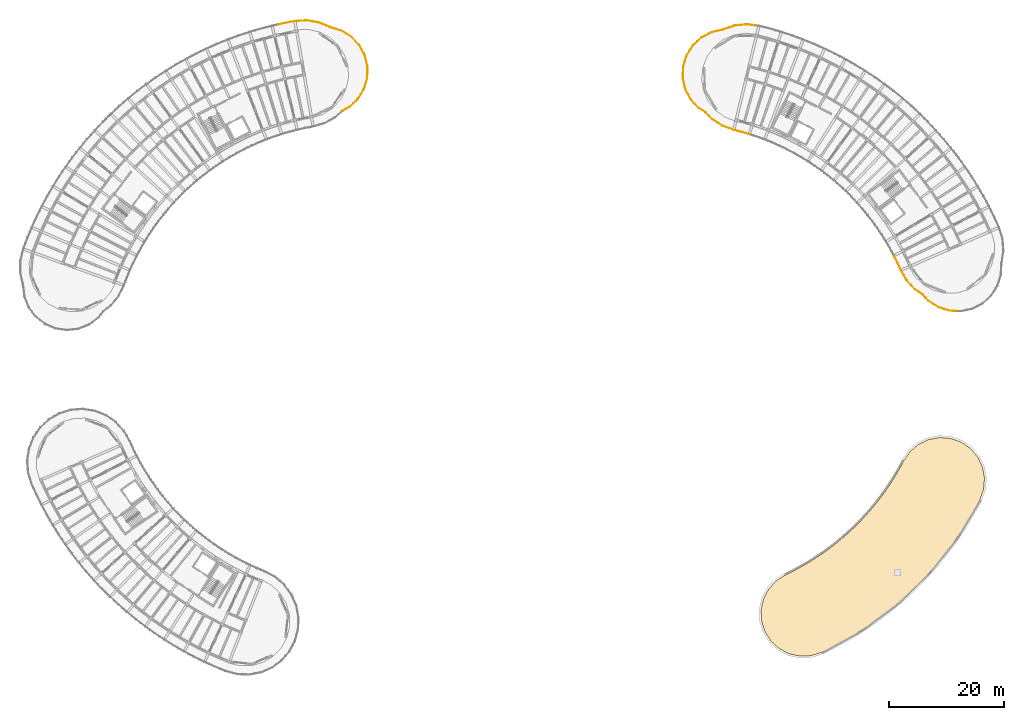
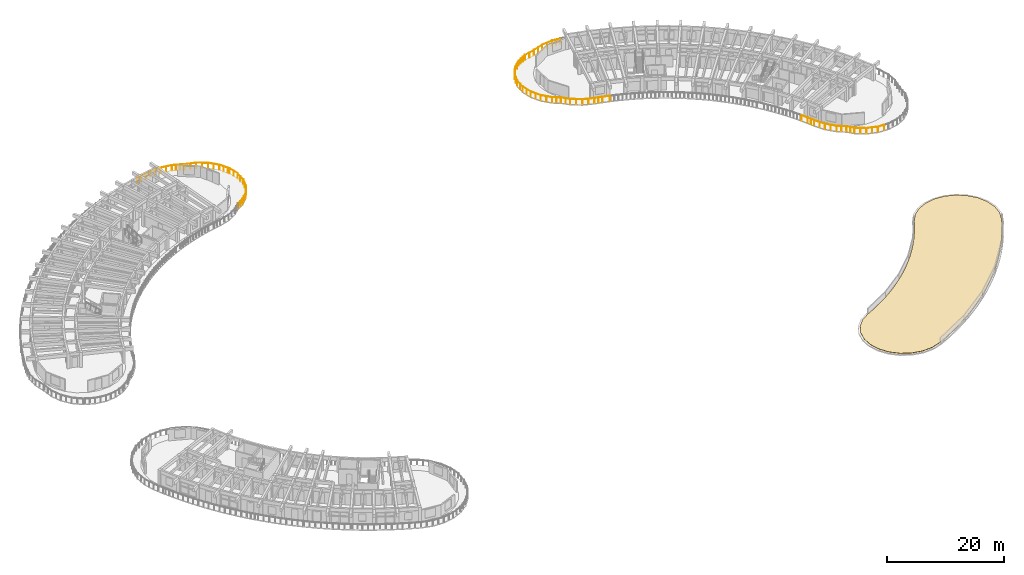
# One storey, part 57 of 62: 10 railings, 1 covering.
"""IFC4 building model written with IfcOpenShell, lengths in metres."""

from ifc_helpers import new_model, si_unit, direction, frame, origin, origin_2d, place, context, subcontext, project, spatial, polyline, circle, outline, extrude, material, layer, layer_set, type_object, element, save


model = new_model("IFC4")

# Units and contexts
model_context = context("Model", 3, precision=1e-05, world=origin(), true_north=direction((0.0, 1.0)))
body_context = subcontext(model_context, "Body", "Model", "MODEL_VIEW")
ifc_project = project(units=[si_unit("LENGTHUNIT", "METRE"), si_unit("AREAUNIT", "SQUARE_METRE"), si_unit("VOLUMEUNIT", "CUBIC_METRE"), si_unit("PLANEANGLEUNIT", "RADIAN"), si_unit("MASSUNIT", "GRAM", prefix="KILO")], contexts=[model_context])

# Site, building, storey
site_placement = place(None, origin())
site = spatial("IfcSite", under=ifc_project, at=site_placement, CompositionType="ELEMENT")
building_placement = place(site_placement, origin())
building = spatial("IfcBuilding", under=site, at=building_placement, Name="Tanwirah Colonnade Gardens", CompositionType="ELEMENT")
storey_placement = place(building_placement, frame((0.0, 0.0, 32.360107421875)))
storey = spatial("IfcBuildingStorey", under=building, at=storey_placement, Name="L09", CompositionType="ELEMENT", Elevation=32.360107421875)

# Railings
ifc_material_1 = material(Name="Precast concrete C40/50", Category="concrete")
railing_type = type_object("IfcRailingType", Name="BAL-EXT112", PredefinedType="BALUSTRADE", material=ifc_material_1)
railing_1_placement = place(storey_placement, frame((51.752197265625, 120.0634765625, 0.0)))
element("IfcRailing", 1, at=railing_1_placement, inside=storey, type_object=railing_type, Name="Block A L09 Balcony Ribbon Balustrade 18", PredefinedType="BALUSTRADE", context=body_context, shape_type="SweptSolid", body=[
    extrude(circle(Radius=0.02392578125, at=origin_2d()), frame((0.030517578125, 0.0068359375, 1.09619140625), z_axis=(0.975875317723, 0.218328569499, 0.0), x_axis=(-0.218328569499, 0.975875317723, 0.0)), (0.0, 0.0, 1.0), 0.806396484375),
    extrude(circle(Radius=0.02392578125, at=origin_2d()), frame((0.878662109375, 0.195556640625, 1.09619140625), z_axis=(0.982552918565, 0.185983231014, 0.0), x_axis=(-0.185983231014, 0.982552918565, 0.0)), (0.0, 0.0, 1.0), 1.955078125),
    extrude(circle(Radius=0.02392578125, at=origin_2d()), frame((2.861572265625, 0.566650390625, 1.09619140625), z_axis=(0.998287234372, 0.058502971625, 0.0), x_axis=(-0.058502971625, 0.998287234372, 0.0)), (0.0, 0.0, 1.0), 2.0283203125),
    extrude(circle(Radius=0.02392578125, at=origin_2d()), frame((4.9482421875, 0.68212890625, 1.09619140625), z_axis=(0.986260797802, -0.165195758778, 0.0), x_axis=(0.165195758778, 0.986260797802, 0.0)), (0.0, 0.0, 1.0), 2.024169921875),
    extrude(circle(Radius=0.02392578125, at=origin_2d()), frame((7.00439453125, 0.33056640625, 1.09619140625), z_axis=(0.924797756628, -0.380459077083, 0.0), x_axis=(0.380459077083, 0.924797756628, 0.0)), (0.0, 0.0, 1.0), 1.37353515625),
    extrude(circle(Radius=0.02099609375, at=origin_2d()), origin(), (0.0, 0.0, 1.0), 1.069091796875),
    extrude(circle(Radius=0.02099609375, at=origin_2d()), frame((0.847900390625, 0.189697265625, 0.0)), (0.0, 0.0, 1.0), 1.069091796875),
    extrude(circle(Radius=0.02099609375, at=origin_2d()), frame((1.839111328125, 0.37744140625, 0.0)), (0.0, 0.0, 1.0), 1.069091796875),
    extrude(circle(Radius=0.02099609375, at=origin_2d()), frame((2.830322265625, 0.56494140625, 0.0)), (0.0, 0.0, 1.0), 1.069091796875),
    extrude(circle(Radius=0.02099609375, at=origin_2d()), frame((3.8740234375, 0.6259765625, 0.0)), (0.0, 0.0, 1.0), 1.069091796875),
    extrude(circle(Radius=0.02099609375, at=origin_2d()), frame((4.91748046875, 0.687255859375, 0.0)), (0.0, 0.0, 1.0), 1.069091796875),
    extrude(circle(Radius=0.02099609375, at=origin_2d()), frame((5.946533203125, 0.514892578125, 0.0)), (0.0, 0.0, 1.0), 1.069091796875),
    extrude(circle(Radius=0.02099609375, at=origin_2d()), frame((6.9755859375, 0.342529296875, 0.0)), (0.0, 0.0, 1.0), 1.069091796875),
    extrude(circle(Radius=0.02099609375, at=origin_2d()), frame((7.6396484375, 0.0693359375, 0.0)), (0.0, 0.0, 1.0), 1.069091796875),
    extrude(circle(Radius=0.02099609375, at=origin_2d()), frame((8.3037109375, -0.203857421875, 0.0)), (0.0, 0.0, 1.0), 1.069091796875),
])
railing_2_placement = place(storey_placement, frame((60.055908203125, 119.859619140625, 0.0)))
element("IfcRailing", 2, at=railing_2_placement, inside=storey, type_object=railing_type, Name="Block A L09 Balcony Ribbon Balustrade 19", PredefinedType="BALUSTRADE", context=body_context, shape_type="SweptSolid", body=[
    extrude(circle(Radius=0.02392578125, at=origin_2d()), frame((0.02880859375, -0.011962890625, 1.09619140625), z_axis=(0.924678098475, -0.380749805254, 0.0), x_axis=(0.380749805254, 0.924678098475, 0.0)), (0.0, 0.0, 1.0), 0.58837890625),
    extrude(circle(Radius=0.02392578125, at=origin_2d()), frame((0.62744140625, -0.265869140625, 1.09619140625), z_axis=(0.817431277233, -0.576026133957, 0.0), x_axis=(0.576026133957, 0.817431277233, 0.0)), (0.0, 0.0, 1.0), 0.03955078125),
    extrude(circle(Radius=0.02392578125, at=origin_2d()), frame((0.73876953125, -0.326904296875, 1.09619140625), z_axis=(0.958833412567, -0.283969165484, 0.0), x_axis=(0.283969165484, 0.958833412567, 0.0)), (0.0, 0.0, 1.0), 1.96044921875),
    extrude(circle(Radius=0.02392578125, at=origin_2d()), frame((2.675048828125, -0.908935546875, 1.09619140625), z_axis=(0.852601252411, -0.522562057929, 0.0), x_axis=(0.522562057929, 0.852601252411, 0.0)), (0.0, 0.0, 1.0), 1.952392578125),
    extrude(circle(Radius=0.02392578125, at=origin_2d()), frame((4.387939453125, -1.96826171875, 1.09619140625), z_axis=(0.688389580677, -0.725341150918, 0.0), x_axis=(0.725341150918, 0.688389580677, 0.0)), (0.0, 0.0, 1.0), 1.95263671875),
    extrude(circle(Radius=0.02392578125, at=origin_2d()), frame((5.7685546875, -3.434814453125, 1.09619140625), z_axis=(0.477179102567, -0.878806067385, 0.0), x_axis=(0.878806067385, 0.477179102567, 0.0)), (0.0, 0.0, 1.0), 1.60498046875),
    extrude(circle(Radius=0.02099609375, at=origin_2d()), origin(), (0.0, 0.0, 1.0), 1.069091796875),
    extrude(circle(Radius=0.02099609375, at=origin_2d()), frame((0.601806640625, -0.247802734375, 0.0)), (0.0, 0.0, 1.0), 1.069091796875),
    extrude(circle(Radius=0.02099609375, at=origin_2d()), frame((0.685302734375, -0.306640625, 0.0)), (0.0, 0.0, 1.0), 1.069091796875),
    extrude(circle(Radius=0.02099609375, at=origin_2d()), frame((1.6787109375, -0.60546875, 0.0)), (0.0, 0.0, 1.0), 1.069091796875),
    extrude(circle(Radius=0.02099609375, at=origin_2d()), frame((2.6484375, -0.892578125, 0.0)), (0.0, 0.0, 1.0), 1.069091796875),
    extrude(circle(Radius=0.02099609375, at=origin_2d()), frame((3.50732421875, -1.4189453125, 0.0)), (0.0, 0.0, 1.0), 1.069091796875),
    extrude(circle(Radius=0.02099609375, at=origin_2d()), frame((4.366455078125, -1.945556640625, 0.0)), (0.0, 0.0, 1.0), 1.069091796875),
    extrude(circle(Radius=0.02099609375, at=origin_2d()), frame((5.06005859375, -2.67626953125, 0.0)), (0.0, 0.0, 1.0), 1.069091796875),
    extrude(circle(Radius=0.02099609375, at=origin_2d()), frame((5.753662109375, -3.4072265625, 0.0)), (0.0, 0.0, 1.0), 1.069091796875),
    extrude(circle(Radius=0.02099609375, at=origin_2d()), frame((6.1513671875, -4.139892578125, 0.0)), (0.0, 0.0, 1.0), 1.069091796875),
    extrude(circle(Radius=0.02099609375, at=origin_2d()), frame((6.54931640625, -4.87255859375, 0.0)), (0.0, 0.0, 1.0), 1.069091796875),
])
railing_3_placement = place(storey_placement, frame((66.605224609375, 114.987060546875, 0.0)))
element("IfcRailing", 3, at=railing_3_placement, inside=storey, type_object=railing_type, Name="Block A L09 Balcony Ribbon Balustrade 20", PredefinedType="BALUSTRADE", context=body_context, shape_type="SweptSolid", body=[
    extrude(circle(Radius=0.02392578125, at=origin_2d()), frame((0.014892578125, -0.027587890625, 1.09619140625), z_axis=(0.477277721832, -0.878752511372, 0.0), x_axis=(0.878752511372, 0.477277721832, 0.0)), (0.0, 0.0, 1.0), 0.285400390625),
    extrude(circle(Radius=0.02392578125, at=origin_2d()), frame((0.17333984375, -0.336181640625, 1.09619140625), z_axis=(0.233345458702, -0.972393900075, 0.0), x_axis=(0.972393900075, 0.233345458702, 0.0)), (0.0, 0.0, 1.0), 1.95263671875),
    extrude(circle(Radius=0.02392578125, at=origin_2d()), frame((0.635498046875, -2.29638671875, 1.09619140625), z_axis=(-0.026169679227, -0.999657515297, 0.0), x_axis=(0.999657515297, -0.026169679227, 0.0)), (0.0, 0.0, 1.0), 1.95263671875),
    extrude(circle(Radius=0.02392578125, at=origin_2d()), frame((0.57470703125, -4.3095703125, 1.09619140625), z_axis=(-0.283989325662, -0.958827441676, 0.0), x_axis=(0.958827441676, -0.283989325662, 0.0)), (0.0, 0.0, 1.0), 1.95263671875),
    extrude(circle(Radius=0.02392578125, at=origin_2d()), frame((-0.005126953125, -6.23828125, 1.09619140625), z_axis=(-0.522508081293, -0.852634332515, 0.0), x_axis=(0.852634332515, -0.522508081293, 0.0)), (0.0, 0.0, 1.0), 1.95263671875),
    extrude(circle(Radius=0.02392578125, at=origin_2d()), frame((-1.064453125, -7.951416015625, 1.09619140625), z_axis=(-0.725463698509, -0.688260431919, 0.0), x_axis=(0.688260431919, -0.725463698509, 0.0)), (0.0, 0.0, 1.0), 0.029296875),
    extrude(circle(Radius=0.02099609375, at=origin_2d()), origin(), (0.0, 0.0, 1.0), 1.069091796875),
    extrude(circle(Radius=0.02099609375, at=origin_2d()), frame((0.166015625, -0.3056640625, 0.0)), (0.0, 0.0, 1.0), 1.069091796875),
    extrude(circle(Radius=0.02099609375, at=origin_2d()), frame((0.401123046875, -1.285400390625, 0.0)), (0.0, 0.0, 1.0), 1.069091796875),
    extrude(circle(Radius=0.02099609375, at=origin_2d()), frame((0.63623046875, -2.26513671875, 0.0)), (0.0, 0.0, 1.0), 1.069091796875),
    extrude(circle(Radius=0.02099609375, at=origin_2d()), frame((0.60986328125, -3.2724609375, 0.0)), (0.0, 0.0, 1.0), 1.069091796875),
    extrude(circle(Radius=0.02099609375, at=origin_2d()), frame((0.58349609375, -4.279541015625, 0.0)), (0.0, 0.0, 1.0), 1.069091796875),
    extrude(circle(Radius=0.02099609375, at=origin_2d()), frame((0.29736328125, -5.24560546875, 0.0)), (0.0, 0.0, 1.0), 1.069091796875),
    extrude(circle(Radius=0.02099609375, at=origin_2d()), frame((0.01123046875, -6.211669921875, 0.0)), (0.0, 0.0, 1.0), 1.069091796875),
    extrude(circle(Radius=0.02099609375, at=origin_2d()), frame((-0.51513671875, -7.07080078125, 0.0)), (0.0, 0.0, 1.0), 1.069091796875),
    extrude(circle(Radius=0.02099609375, at=origin_2d()), frame((-1.041748046875, -7.929931640625, 0.0)), (0.0, 0.0, 1.0), 1.069091796875),
    extrude(circle(Radius=0.02099609375, at=origin_2d()), frame((-1.1083984375, -7.9931640625, 0.0)), (0.0, 0.0, 1.0), 1.069091796875),
])
railing_4_placement = place(storey_placement, frame((65.496826171875, 106.993896484375, 0.0)))
element("IfcRailing", 4, at=railing_4_placement, inside=storey, type_object=railing_type, Name="Block A L09 Balcony Ribbon Balustrade 21", PredefinedType="BALUSTRADE", context=body_context, shape_type="SweptSolid", body=[
    extrude(circle(Radius=0.02392578125, at=origin_2d()), frame((-0.022705078125, -0.021484375, 1.09619140625), z_axis=(-0.725398682244, -0.688328956095, 0.0), x_axis=(0.688328956095, -0.725398682244, 0.0)), (0.0, 0.0, 1.0), 1.860595703125),
    extrude(circle(Radius=0.02392578125, at=origin_2d()), frame((-1.422607421875, -1.338623046875, 1.09619140625), z_axis=(-0.878796441222, -0.477196830349, 0.0), x_axis=(0.477196830349, -0.878796441222, 0.0)), (0.0, 0.0, 1.0), 1.37451171875),
    extrude(circle(Radius=0.02099609375, at=origin_2d()), origin(), (0.0, 0.0, 1.0), 1.069091796875),
    extrude(circle(Radius=0.02099609375, at=origin_2d()), frame((-0.697509765625, -0.661865234375, 0.0)), (0.0, 0.0, 1.0), 1.069091796875),
    extrude(circle(Radius=0.02099609375, at=origin_2d()), frame((-1.39501953125, -1.32373046875, 0.0)), (0.0, 0.0, 1.0), 1.069091796875),
    extrude(circle(Radius=0.02099609375, at=origin_2d()), frame((-2.0263671875, -1.66650390625, 0.0)), (0.0, 0.0, 1.0), 1.069091796875),
    extrude(circle(Radius=0.02099609375, at=origin_2d()), frame((-2.657958984375, -2.009521484375, 0.0)), (0.0, 0.0, 1.0), 1.069091796875),
])
railing_5_placement = place(storey_placement, frame((163.967041015625, 72.976806640625, 0.0)))
element("IfcRailing", 5, at=railing_5_placement, inside=storey, type_object=railing_type, Name="Block B L09 Balcony Ribbon Balustrade 1", PredefinedType="BALUSTRADE", context=body_context, shape_type="SweptSolid", body=[
    extrude(circle(Radius=0.02392578125, at=origin_2d()), frame((-0.02587890625, 0.017578125, 1.09619140625), z_axis=(-0.826094471223, 0.563531653606, 0.0), x_axis=(-0.563531653606, -0.826094471223, 0.0)), (0.0, 0.0, 1.0), 1.609375),
    extrude(circle(Radius=0.02392578125, at=origin_2d()), frame((-1.40234375, 0.965087890625, 1.09619140625), z_axis=(-0.679930414178, 0.733276640755, 0.0), x_axis=(-0.733276640755, -0.679930414178, 0.0)), (0.0, 0.0, 1.0), 2.0244140625),
    extrude(circle(Radius=0.02392578125, at=origin_2d()), frame((-2.815673828125, 2.49951171875, 1.09619140625), z_axis=(-0.499729188924, 0.866181700186, 0.0), x_axis=(-0.866181700186, -0.499729188924, 0.0)), (0.0, 0.0, 1.0), 2.029541015625),
    extrude(circle(Radius=0.02392578125, at=origin_2d()), frame((-3.8583984375, 4.31298828125, 1.09619140625), z_axis=(-0.414708968171, 0.909954104183, 0.0), x_axis=(-0.909954104183, -0.414708968171, 0.0)), (0.0, 0.0, 1.0), 1.337890625),
    extrude(circle(Radius=0.02392578125, at=origin_2d()), frame((-4.44140625, 5.58935546875, 1.09619140625), z_axis=(-0.444547071528, 0.895755491859, 0.0), x_axis=(-0.895755491859, -0.444547071528, 0.0)), (0.0, 0.0, 1.0), 1.18359375),
    extrude(circle(Radius=0.02099609375, at=origin_2d()), origin(), (0.0, 0.0, 1.0), 1.069091796875),
    extrude(circle(Radius=0.02099609375, at=origin_2d()), frame((-0.6904296875, 0.47119140625, 0.0)), (0.0, 0.0, 1.0), 1.069091796875),
    extrude(circle(Radius=0.02099609375, at=origin_2d()), frame((-1.381103515625, 0.942138671875, 0.0)), (0.0, 0.0, 1.0), 1.069091796875),
    extrude(circle(Radius=0.02099609375, at=origin_2d()), frame((-2.090576171875, 1.707275390625, 0.0)), (0.0, 0.0, 1.0), 1.069091796875),
    extrude(circle(Radius=0.02099609375, at=origin_2d()), frame((-2.800048828125, 2.472412109375, 0.0)), (0.0, 0.0, 1.0), 1.069091796875),
    extrude(circle(Radius=0.02099609375, at=origin_2d()), frame((-3.32275390625, 3.37841796875, 0.0)), (0.0, 0.0, 1.0), 1.069091796875),
    extrude(circle(Radius=0.02099609375, at=origin_2d()), frame((-3.845458984375, 4.284423828125, 0.0)), (0.0, 0.0, 1.0), 1.069091796875),
    extrude(circle(Radius=0.02099609375, at=origin_2d()), frame((-4.1357421875, 4.921630859375, 0.0)), (0.0, 0.0, 1.0), 1.069091796875),
    extrude(circle(Radius=0.02099609375, at=origin_2d()), frame((-4.42626953125, 5.558837890625, 0.0)), (0.0, 0.0, 1.0), 1.069091796875),
    extrude(circle(Radius=0.02099609375, at=origin_2d()), frame((-4.9814453125, 6.677490234375, 0.0)), (0.0, 0.0, 1.0), 1.069091796875),
])
railing_6_placement = place(storey_placement, frame((133.645751953125, 100.96240234375, 0.0)))
element("IfcRailing", 6, at=railing_6_placement, inside=storey, type_object=railing_type, Name="Block B L09 Balcony Ribbon Balustrade 6", PredefinedType="BALUSTRADE", context=body_context, shape_type="SweptSolid", body=[
    extrude(circle(Radius=0.02392578125, at=origin_2d()), frame((-0.030029296875, 0.0087890625, 1.09619140625), z_axis=(-0.959380085694, 0.282116733238, 0.0), x_axis=(-0.282116733238, -0.959380085694, 0.0)), (0.0, 0.0, 1.0), 1.270263671875),
    extrude(circle(Radius=0.02392578125, at=origin_2d()), frame((-1.3115234375, 0.384521484375, 1.09619140625), z_axis=(-0.968152012133, 0.250363099122, 0.0), x_axis=(-0.250363099122, -0.968152012133, 0.0)), (0.0, 0.0, 1.0), 1.337890625),
    extrude(circle(Radius=0.02392578125, at=origin_2d()), frame((-2.666259765625, 0.738037109375, 1.09619140625), z_axis=(-0.93978320246, 0.341771169606, 0.0), x_axis=(-0.341771169606, -0.93978320246, 0.0)), (0.0, 0.0, 1.0), 2.02978515625),
    extrude(circle(Radius=0.02392578125, at=origin_2d()), frame((-4.629638671875, 1.459228515625, 1.09619140625), z_axis=(-0.840131563102, 0.542382666278, 0.0), x_axis=(-0.542382666278, -0.840131563102, 0.0)), (0.0, 0.0, 1.0), 2.024169921875),
    extrude(circle(Radius=0.02392578125, at=origin_2d()), frame((-6.378173828125, 2.5966796875, 1.09619140625), z_axis=(-0.698506679096, 0.715603534968, 0.0), x_axis=(-0.715603534968, -0.698506679096, 0.0)), (0.0, 0.0, 1.0), 1.5224609375),
    extrude(circle(Radius=0.02099609375, at=origin_2d()), origin(), (0.0, 0.0, 1.0), 1.069091796875),
    extrude(circle(Radius=0.02099609375, at=origin_2d()), frame((-1.278564453125, 0.3759765625, 0.0)), (0.0, 0.0, 1.0), 1.069091796875),
    extrude(circle(Radius=0.02099609375, at=origin_2d()), frame((-1.958984375, 0.552001953125, 0.0)), (0.0, 0.0, 1.0), 1.069091796875),
    extrude(circle(Radius=0.02099609375, at=origin_2d()), frame((-2.636962890625, 0.727294921875, 0.0)), (0.0, 0.0, 1.0), 1.069091796875),
    extrude(circle(Radius=0.02099609375, at=origin_2d()), frame((-3.6201171875, 1.0849609375, 0.0)), (0.0, 0.0, 1.0), 1.069091796875),
    extrude(circle(Radius=0.02099609375, at=origin_2d()), frame((-4.603271484375, 1.4423828125, 0.0)), (0.0, 0.0, 1.0), 1.069091796875),
    extrude(circle(Radius=0.02099609375, at=origin_2d()), frame((-5.47998046875, 2.00830078125, 0.0)), (0.0, 0.0, 1.0), 1.069091796875),
    extrude(circle(Radius=0.02099609375, at=origin_2d()), frame((-6.3564453125, 2.57421875, 0.0)), (0.0, 0.0, 1.0), 1.069091796875),
    extrude(circle(Radius=0.02099609375, at=origin_2d()), frame((-6.91015625, 3.141357421875, 0.0)), (0.0, 0.0, 1.0), 1.069091796875),
    extrude(circle(Radius=0.02099609375, at=origin_2d()), frame((-7.463623046875, 3.70849609375, 0.0)), (0.0, 0.0, 1.0), 1.069091796875),
])
railing_7_placement = place(storey_placement, frame((126.18212890625, 104.6708984375, 0.0)))
element("IfcRailing", 7, at=railing_7_placement, inside=storey, type_object=railing_type, Name="Block B L09 Balcony Ribbon Balustrade 7", PredefinedType="BALUSTRADE", context=body_context, shape_type="SweptSolid", body=[
    extrude(circle(Radius=0.02392578125, at=origin_2d()), frame((-0.021728515625, 0.0224609375, 1.09619140625), z_axis=(-0.698605407902, 0.715507151642, 0.0), x_axis=(-0.715507151642, -0.698605407902, 0.0)), (0.0, 0.0, 1.0), 0.024169921875),
    extrude(circle(Radius=0.02392578125, at=origin_2d()), frame((-0.101318359375, 0.09033203125, 1.09619140625), z_axis=(-0.845440461519, 0.534069682744, 0.0), x_axis=(-0.534069682744, -0.845440461519, 0.0)), (0.0, 0.0, 1.0), 1.374755859375),
    extrude(circle(Radius=0.02392578125, at=origin_2d()), frame((-1.311279296875, 0.8642578125, 1.09619140625), z_axis=(-0.678501490728, 0.734599024693, 0.0), x_axis=(-0.734599024693, -0.678501490728, 0.0)), (0.0, 0.0, 1.0), 1.952392578125),
    extrude(circle(Radius=0.02392578125, at=origin_2d()), frame((-2.671875, 2.34912109375, 1.09619140625), z_axis=(-0.46510218075, 0.885257003057, 0.0), x_axis=(-0.885257003057, -0.46510218075, 0.0)), (0.0, 0.0, 1.0), 1.95263671875),
    extrude(circle(Radius=0.02392578125, at=origin_2d()), frame((-3.601318359375, 4.135986328125, 1.09619140625), z_axis=(-0.220264590133, 0.975440162354, 0.0), x_axis=(-0.975440162354, -0.220264590133, 0.0)), (0.0, 0.0, 1.0), 1.95263671875),
    extrude(circle(Radius=0.02392578125, at=origin_2d()), frame((-4.037109375, 6.102294921875, 1.09619140625), z_axis=(0.039604682155, 0.999215426798, 0.0), x_axis=(-0.999215426798, 0.039604682155, 0.0)), (0.0, 0.0, 1.0), 0.849853515625),
    extrude(circle(Radius=0.02099609375, at=origin_2d()), origin(), (0.0, 0.0, 1.0), 1.069091796875),
    extrude(circle(Radius=0.02099609375, at=origin_2d()), frame((-0.060546875, 0.06201171875, 0.0)), (0.0, 0.0, 1.0), 1.069091796875),
    extrude(circle(Radius=0.02099609375, at=origin_2d()), frame((-0.6826171875, 0.45751953125, 0.0)), (0.0, 0.0, 1.0), 1.069091796875),
    extrude(circle(Radius=0.02099609375, at=origin_2d()), frame((-1.2900390625, 0.84130859375, 0.0)), (0.0, 0.0, 1.0), 1.069091796875),
    extrude(circle(Radius=0.02099609375, at=origin_2d()), frame((-1.9736328125, 1.58154296875, 0.0)), (0.0, 0.0, 1.0), 1.069091796875),
    extrude(circle(Radius=0.02099609375, at=origin_2d()), frame((-2.6572265625, 2.321533203125, 0.0)), (0.0, 0.0, 1.0), 1.069091796875),
    extrude(circle(Radius=0.02099609375, at=origin_2d()), frame((-3.1259765625, 3.21337890625, 0.0)), (0.0, 0.0, 1.0), 1.069091796875),
    extrude(circle(Radius=0.02099609375, at=origin_2d()), frame((-3.594482421875, 4.10546875, 0.0)), (0.0, 0.0, 1.0), 1.069091796875),
    extrude(circle(Radius=0.02099609375, at=origin_2d()), frame((-3.81640625, 5.08837890625, 0.0)), (0.0, 0.0, 1.0), 1.069091796875),
    extrude(circle(Radius=0.02099609375, at=origin_2d()), frame((-4.038330078125, 6.071044921875, 0.0)), (0.0, 0.0, 1.0), 1.069091796875),
    extrude(circle(Radius=0.02099609375, at=origin_2d()), frame((-4.002197265625, 6.982666015625, 0.0)), (0.0, 0.0, 1.0), 1.069091796875),
])
railing_8_placement = place(storey_placement, frame((122.179931640625, 111.653564453125, 0.0)))
element("IfcRailing", 8, at=railing_8_placement, inside=storey, type_object=railing_type, Name="Block B L09 Balcony Ribbon Balustrade 8", PredefinedType="BALUSTRADE", context=body_context, shape_type="SweptSolid", body=[
    extrude(circle(Radius=0.02392578125, at=origin_2d()), frame((0.001220703125, 0.03125, 1.09619140625), z_axis=(0.039844276091, 0.999205901535, 0.0), x_axis=(-0.999205901535, 0.039844276091, 0.0)), (0.0, 0.0, 1.0), 1.040283203125),
    extrude(circle(Radius=0.02392578125, at=origin_2d()), frame((0.05322265625, 1.1318359375, 1.09619140625), z_axis=(0.29697080991, 0.954886557692, 0.0), x_axis=(-0.954886557692, 0.29697080991, 0.0)), (0.0, 0.0, 1.0), 1.952392578125),
    extrude(circle(Radius=0.02392578125, at=origin_2d()), frame((0.658935546875, 3.052490234375, 1.09619140625), z_axis=(0.534011223125, 0.845477387975, 0.0), x_axis=(-0.845477387975, 0.534011223125, 0.0)), (0.0, 0.0, 1.0), 1.95263671875),
    extrude(circle(Radius=0.02392578125, at=origin_2d()), frame((1.741455078125, 4.751220703125, 1.09619140625), z_axis=(0.734654795434, 0.678441103963, 0.0), x_axis=(-0.678441103963, 0.734654795434, 0.0)), (0.0, 0.0, 1.0), 1.95263671875),
    extrude(circle(Radius=0.02392578125, at=origin_2d()), frame((3.2265625, 6.11181640625, 1.09619140625), z_axis=(0.885251038705, 0.465113532884, 0.0), x_axis=(-0.465113532884, 0.885251038705, 0.0)), (0.0, 0.0, 1.0), 1.2890625),
    extrude(circle(Radius=0.02099609375, at=origin_2d()), origin(), (0.0, 0.0, 1.0), 1.069091796875),
    extrude(circle(Radius=0.02099609375, at=origin_2d()), frame((0.0439453125, 1.10205078125, 0.0)), (0.0, 0.0, 1.0), 1.069091796875),
    extrude(circle(Radius=0.02099609375, at=origin_2d()), frame((0.34326171875, 2.06396484375, 0.0)), (0.0, 0.0, 1.0), 1.069091796875),
    extrude(circle(Radius=0.02099609375, at=origin_2d()), frame((0.642333984375, 3.026123046875, 0.0)), (0.0, 0.0, 1.0), 1.069091796875),
    extrude(circle(Radius=0.02099609375, at=origin_2d()), frame((1.180419921875, 3.8779296875, 0.0)), (0.0, 0.0, 1.0), 1.069091796875),
    extrude(circle(Radius=0.02099609375, at=origin_2d()), frame((1.718505859375, 4.72998046875, 0.0)), (0.0, 0.0, 1.0), 1.069091796875),
    extrude(circle(Radius=0.02099609375, at=origin_2d()), frame((2.458740234375, 5.41357421875, 0.0)), (0.0, 0.0, 1.0), 1.069091796875),
    extrude(circle(Radius=0.02099609375, at=origin_2d()), frame((3.198974609375, 6.09716796875, 0.0)), (0.0, 0.0, 1.0), 1.069091796875),
    extrude(circle(Radius=0.02099609375, at=origin_2d()), frame((3.79736328125, 6.41162109375, 0.0)), (0.0, 0.0, 1.0), 1.069091796875),
    extrude(circle(Radius=0.02099609375, at=origin_2d()), frame((4.3955078125, 6.725830078125, 0.0)), (0.0, 0.0, 1.0), 1.069091796875),
])
railing_9_placement = place(storey_placement, frame((126.575439453125, 118.37939453125, 0.0)))
element("IfcRailing", 9, at=railing_9_placement, inside=storey, type_object=railing_type, Name="Block B L09 Balcony Ribbon Balustrade 9", PredefinedType="BALUSTRADE", context=body_context, shape_type="SweptSolid", body=[
    extrude(circle(Radius=0.02392578125, at=origin_2d()), frame((0.027587890625, 0.0146484375, 1.09619140625), z_axis=(0.885117641915, 0.465367338746, 0.0), x_axis=(-0.465367338746, 0.885117641915, 0.0)), (0.0, 0.0, 1.0), 0.60107421875),
    extrude(circle(Radius=0.02392578125, at=origin_2d()), frame((0.617919921875, 0.315673828125, 1.09619140625), z_axis=(0.975466090971, 0.220149733968, 0.0), x_axis=(-0.220149733968, 0.975466090971, 0.0)), (0.0, 0.0, 1.0), 1.960205078125),
    extrude(circle(Radius=0.02392578125, at=origin_2d()), frame((2.611328125, 0.7802734375, 1.09619140625), z_axis=(0.85239529103, 0.52289795164, 0.0), x_axis=(-0.52289795164, 0.85239529103, 0.0)), (0.0, 0.0, 1.0), 0.039794921875),
    extrude(circle(Radius=0.02392578125, at=origin_2d()), frame((2.701416015625, 0.827392578125, 1.09619140625), z_axis=(0.947861179751, 0.318683516865, 0.0), x_axis=(-0.318683516865, 0.947861179751, 0.0)), (0.0, 0.0, 1.0), 2.0244140625),
    extrude(circle(Radius=0.02392578125, at=origin_2d()), frame((4.680908203125, 1.485595703125, 1.09619140625), z_axis=(0.99499656667, 0.099909120275, 0.0), x_axis=(-0.099909120275, 0.99499656667, 0.0)), (0.0, 0.0, 1.0), 2.0244140625),
    extrude(circle(Radius=0.02392578125, at=origin_2d()), frame((6.75732421875, 1.68701171875, 1.09619140625), z_axis=(0.992275391446, -0.124054615112, 0.0), x_axis=(0.124054615112, 0.992275391446, 0.0)), (0.0, 0.0, 1.0), 1.448974609375),
    extrude(circle(Radius=0.02099609375, at=origin_2d()), origin(), (0.0, 0.0, 1.0), 1.069091796875),
    extrude(circle(Radius=0.02099609375, at=origin_2d()), frame((0.58740234375, 0.308837890625, 0.0)), (0.0, 0.0, 1.0), 1.069091796875),
    extrude(circle(Radius=0.02099609375, at=origin_2d()), frame((1.573974609375, 0.531494140625, 0.0)), (0.0, 0.0, 1.0), 1.069091796875),
    extrude(circle(Radius=0.02099609375, at=origin_2d()), frame((2.560546875, 0.754150390625, 0.0)), (0.0, 0.0, 1.0), 1.069091796875),
    extrude(circle(Radius=0.02099609375, at=origin_2d()), frame((2.671875, 0.8173828125, 0.0)), (0.0, 0.0, 1.0), 1.069091796875),
    extrude(circle(Radius=0.02099609375, at=origin_2d()), frame((3.660888671875, 1.14990234375, 0.0)), (0.0, 0.0, 1.0), 1.069091796875),
    extrude(circle(Radius=0.02099609375, at=origin_2d()), frame((4.64990234375, 1.482421875, 0.0)), (0.0, 0.0, 1.0), 1.069091796875),
    extrude(circle(Radius=0.02099609375, at=origin_2d()), frame((5.68798828125, 1.586669921875, 0.0)), (0.0, 0.0, 1.0), 1.069091796875),
    extrude(circle(Radius=0.02099609375, at=origin_2d()), frame((6.726318359375, 1.69091796875, 0.0)), (0.0, 0.0, 1.0), 1.069091796875),
    extrude(circle(Radius=0.02099609375, at=origin_2d()), frame((7.47607421875, 1.59716796875, 0.0)), (0.0, 0.0, 1.0), 1.069091796875),
    extrude(circle(Radius=0.02099609375, at=origin_2d()), frame((8.22607421875, 1.50341796875, 0.0)), (0.0, 0.0, 1.0), 1.069091796875),
])
railing_10_placement = place(storey_placement, frame((169.740478515625, 70.142578125, 0.0)))
element("IfcRailing", 10, at=railing_10_placement, inside=storey, type_object=railing_type, Name="Block B L09 Balcony Ribbon Balustrade 19", PredefinedType="BALUSTRADE", context=body_context, shape_type="SweptSolid", body=[
    extrude(circle(Radius=0.02392578125, at=origin_2d()), frame((-0.03125, 0.00146484375, 1.09619140625), z_axis=(-0.998865325189, 0.047624175952, 0.0), x_axis=(-0.047624175952, -0.998865325189, 0.0)), (0.0, 0.0, 1.0), 1.116455078125),
    extrude(circle(Radius=0.02392578125, at=origin_2d()), frame((-1.20751953125, 0.065673828125, 1.09619140625), z_axis=(-0.952559105653, 0.304353659807, 0.0), x_axis=(-0.304353659807, -0.952559105653, 0.0)), (0.0, 0.0, 1.0), 1.952392578125),
    extrude(circle(Radius=0.02392578125, at=origin_2d()), frame((-3.12353515625, 0.686279296875, 1.09619140625), z_axis=(-0.841324076442, 0.540531033706, 0.0), x_axis=(-0.540531033706, -0.841324076442, 0.0)), (0.0, 0.0, 1.0), 1.952880859375),
    extrude(circle(Radius=0.02392578125, at=origin_2d()), frame((-4.813720703125, 1.781982421875, 1.09619140625), z_axis=(-0.672664337011, 0.739947761476, 0.0), x_axis=(-0.739947761476, -0.672664337011, 0.0)), (0.0, 0.0, 1.0), 1.374267578125),
    extrude(circle(Radius=0.02099609375, at=origin_2d()), origin(), (0.0, 0.0, 1.0), 1.069091796875),
    extrude(circle(Radius=0.02099609375, at=origin_2d()), frame((-1.177734375, 0.05615234375, 0.0)), (0.0, 0.0, 1.0), 1.069091796875),
    extrude(circle(Radius=0.02099609375, at=origin_2d()), frame((-2.137451171875, 0.36279296875, 0.0)), (0.0, 0.0, 1.0), 1.069091796875),
    extrude(circle(Radius=0.02099609375, at=origin_2d()), frame((-3.09716796875, 0.66943359375, 0.0)), (0.0, 0.0, 1.0), 1.069091796875),
    extrude(circle(Radius=0.02099609375, at=origin_2d()), frame((-3.94482421875, 1.214111328125, 0.0)), (0.0, 0.0, 1.0), 1.069091796875),
    extrude(circle(Radius=0.02099609375, at=origin_2d()), frame((-4.792724609375, 1.7587890625, 0.0)), (0.0, 0.0, 1.0), 1.069091796875),
    extrude(circle(Radius=0.02099609375, at=origin_2d()), frame((-5.27587890625, 2.29052734375, 0.0)), (0.0, 0.0, 1.0), 1.069091796875),
    extrude(circle(Radius=0.02099609375, at=origin_2d()), frame((-5.75927734375, 2.822021484375, 0.0)), (0.0, 0.0, 1.0), 1.069091796875),
])

# Covering
ifc_material_2 = material(Name="Reflective elastomeric membrane and rigid roof insulation")
ifc_layer = layer(ifc_material_2, 0.06005859375)
ifc_layer_set = layer_set([ifc_layer], Name="Reflective elastomeric membrane and rigid roof insulation")
covering_type = type_object("IfcCoveringType", Name="COV-ROOF60", PredefinedType="ROOFING", material=ifc_layer_set)
covering_placement = place(storey_placement, origin())
element("IfcCovering", 11, at=covering_placement, inside=storey, type_object=covering_type, Name="Block D Insulated Roof Membrane Covering", PredefinedType="ROOFING", context=body_context, shape_type="SweptSolid", body=[
    extrude(outline(polyline([(138.369873046875, 23.152099609375), (140.02685546875, 24.2177734375), (141.306640625, 24.847412109375), (141.31689453125, 24.8525390625), (142.59326171875, 25.532958984375), (142.603271484375, 25.53857421875), (143.856689453125, 26.26025390625), (143.866455078125, 26.26611328125), (145.095458984375, 27.028564453125), (145.105224609375, 27.034912109375), (146.30859375, 27.837158203125), (146.318115234375, 27.843505859375), (147.49462890625, 28.684814453125), (147.50390625, 28.691650390625), (148.65234375, 29.57080078125), (148.661376953125, 29.577880859375), (149.780517578125, 30.494384765625), (149.7890625, 30.501708984375), (150.877685546875, 31.4541015625), (150.88623046875, 31.4619140625), (151.94287109375, 32.449462890625), (151.951171875, 32.45751953125), (152.97509765625, 33.47900390625), (152.98291015625, 33.4873046875), (153.972900390625, 34.541748046875), (153.98046875, 34.55029296875), (154.935302734375, 35.63671875), (154.94287109375, 35.6455078125), (155.861572265625, 36.762451171875), (155.86865234375, 36.771484375), (156.75048828125, 37.91796875), (156.75732421875, 37.92724609375), (157.60107421875, 39.10205078125), (157.607666015625, 39.111328125), (158.412353515625, 40.313232421875), (158.418701171875, 40.32275390625), (159.183837890625, 41.550048828125), (159.189697265625, 41.56005859375), (159.914306640625, 42.811767578125), (159.919921875, 42.82177734375), (160.593505859375, 44.078857421875), (161.716552734375, 45.69775390625), (163.2001953125, 46.953857421875), (164.95849609375, 47.782958984375), (166.87158203125, 48.12890625), (168.80908203125, 47.968017578125), (170.638671875, 47.31103515625), (172.236083984375, 46.202880859375), (173.4921875, 44.71923828125), (174.3212890625, 42.9609375), (174.667236328125, 41.0478515625), (174.50634765625, 39.1103515625), (173.842529296875, 37.26171875), (172.93310546875, 35.564697265625), (171.95849609375, 33.881103515625), (170.929443359375, 32.22998046875), (169.846923828125, 30.61376953125), (168.7119140625, 29.03369140625), (167.526123046875, 27.491455078125), (166.290283203125, 25.989013671875), (165.005859375, 24.52783203125), (163.674560546875, 23.109375), (162.29736328125, 21.7353515625), (160.8759765625, 20.406982421875), (159.412109375, 19.1259765625), (157.906982421875, 17.893310546875), (156.3623046875, 16.710693359375), (154.779541015625, 15.579345703125), (153.160888671875, 14.500244140625), (151.5078125, 13.474853515625), (149.822021484375, 12.50390625), (148.105224609375, 11.588623046875), (146.37744140625, 10.739013671875), (144.5068359375, 10.14013671875), (142.56494140625, 10.046875), (140.6650390625, 10.45947265625), (138.936767578125, 11.349609375), (137.497802734375, 12.65673828125), (136.446044921875, 14.291748046875), (135.853515625, 16.143310546875), (135.76025390625, 18.0849609375), (136.172607421875, 19.98486328125), (137.062744140625, 21.713134765625), (138.369873046875, 23.152099609375)])), origin(), (0.0, 0.0, 1.0), 0.059814453125),
])

save(model, "model.ifc")
